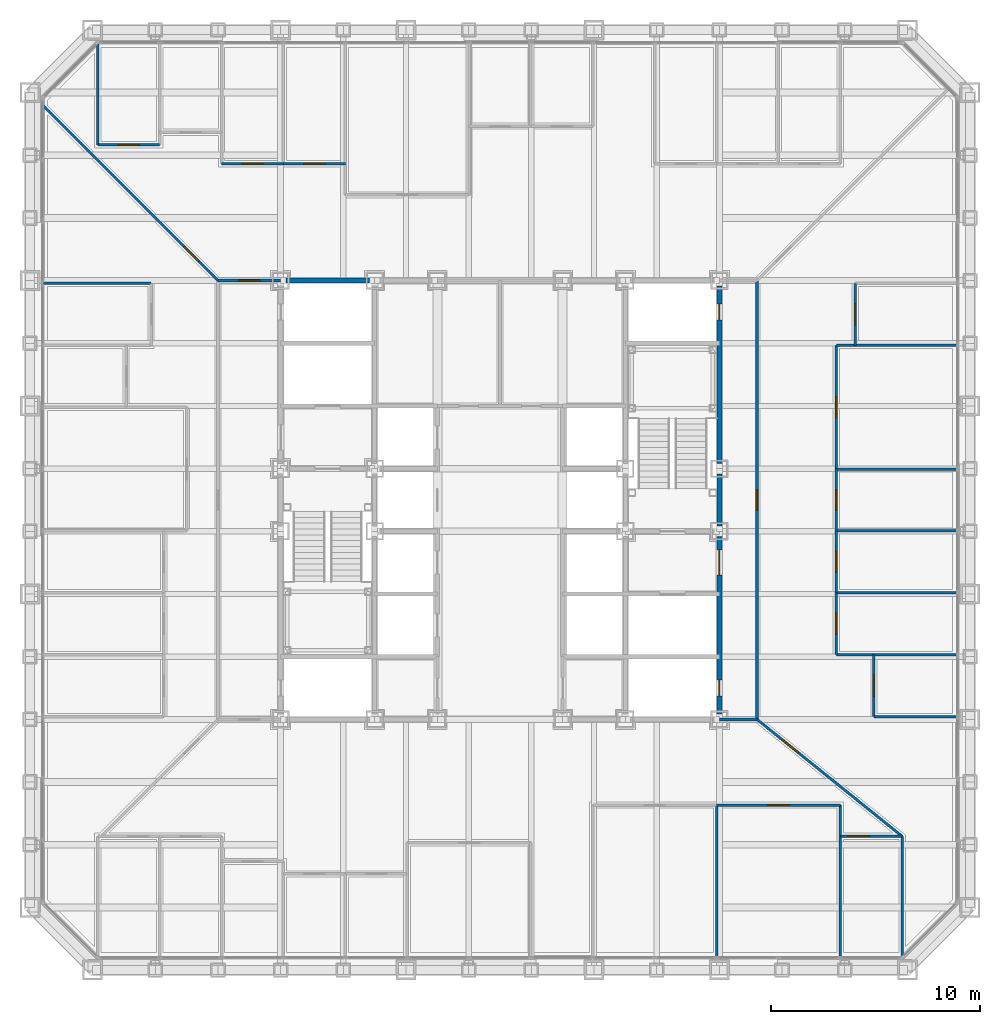
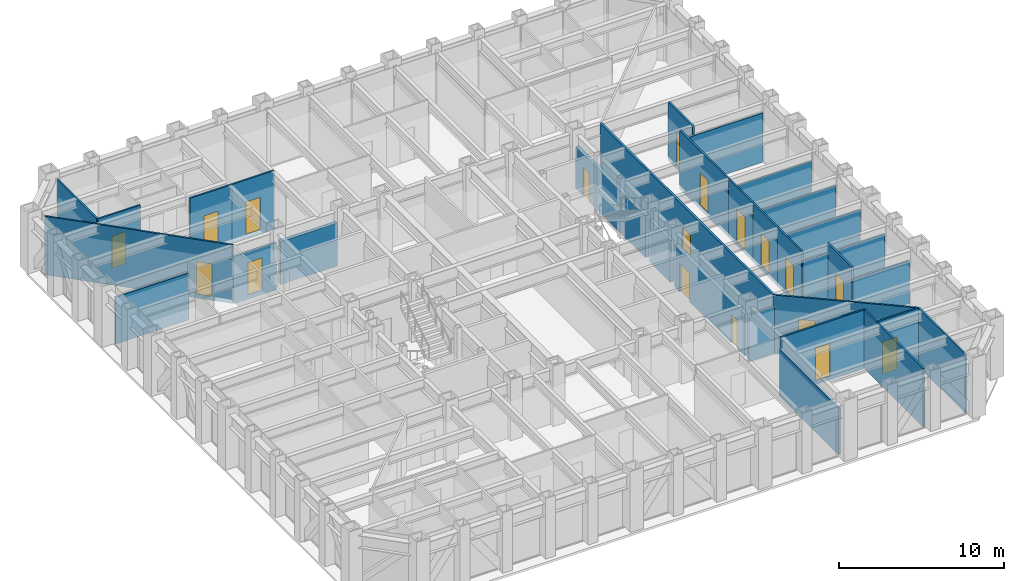
# One storey, part 10 of 17: 31 walls, 18 doors, 18 openings.
"""IFC4 building model written with IfcOpenShell, lengths in metres."""

from ifc_helpers import new_model, si_unit, direction, frame, frame_2d, origin, place, context, subcontext, project, spatial, rectangle, extrude, material, layer, layer_set, type_object, element, fill, save


model = new_model("IFC4")

# Units and contexts
model_context = context("Model", 3, precision=1e-05, world=origin(), true_north=direction((0.0, 1.0)))
body_context = subcontext(model_context, "Body", "Model", "MODEL_VIEW")
ifc_project = project(units=[si_unit("LENGTHUNIT", "METRE"), si_unit("AREAUNIT", "SQUARE_METRE"), si_unit("VOLUMEUNIT", "CUBIC_METRE"), si_unit("PLANEANGLEUNIT", "RADIAN"), si_unit("MASSUNIT", "GRAM", prefix="KILO")], contexts=[model_context])

# Site, building, storey
site_placement = place(None, origin())
site = spatial("IfcSite", under=ifc_project, at=site_placement, CompositionType="ELEMENT")
building_placement = place(site_placement, origin())
building = spatial("IfcBuilding", under=site, at=building_placement, Name="Chuquiago Exchange Tower", CompositionType="ELEMENT")
storey_placement = place(building_placement, frame((0.0, 0.0, 37.800048828125)))
storey = spatial("IfcBuildingStorey", under=building, at=storey_placement, Name="L07", CompositionType="ELEMENT", Elevation=37.800048828125)

# Wall
ifc_material_1 = material(Name="Concrete masonry, fully grouted", Category="masonry")
ifc_layer_1 = layer(ifc_material_1, 0.25)
ifc_layer_set_1 = layer_set([ifc_layer_1], Name="W1 core wall 250")
wall_type_1 = type_object("IfcWallType", Name="W1 core wall 250", PredefinedType="SOLIDWALL", material=ifc_layer_set_1)
wall_1_placement = place(storey_placement, frame((12.25, 33.0, 0.0), z_axis=(0.0, 0.0, 1.0), x_axis=(1.0, 0.0, 0.0)))
element("IfcWall", 1, at=wall_1_placement, inside=storey, type_object=wall_type_1, Name="CW-L07-11-0", PredefinedType="SOLIDWALL", context=body_context, shape_type="SweptSolid", body=[
    extrude(rectangle(XDim=4.0, YDim=0.25, at=frame_2d((2.0, 0.0))), origin(), (0.0, 0.0, 1.0), 3.181396484375),
])

# Wall, openings, doors
wall_2_placement = place(storey_placement, frame((33.0, 12.25, 0.0), z_axis=(0.0, 0.0, 1.0), x_axis=(0.0, 1.0, 0.0)))
wall_2 = element("IfcWall", 2, at=wall_2_placement, inside=storey, type_object=wall_type_1, Name="CW-L07-25-0", PredefinedType="SOLIDWALL", context=body_context, shape_type="SweptSolid", body=[
    extrude(rectangle(XDim=8.5, YDim=0.25, at=frame_2d((4.25, 0.0))), origin(), (0.0, 0.0, 1.0), 3.11279296875),
])
opening_1_placement = place(wall_2_placement, frame((6.64990234375, 0.0, 0.0)))
opening_1 = element("IfcOpeningElement", 3, at=opening_1_placement, cuts=wall_2, Name="Opening L07-004", PredefinedType="OPENING", context=body_context, shape_type="SweptSolid", body=[
    extrude(rectangle(XDim=1.199951171875, YDim=2.10009765625, at=frame_2d((0.60009765625, 1.050048828125))), frame((0.0, 0.135009765625, 0.0), z_axis=(0.0, -1.0, 0.0), x_axis=(1.0, 0.0, 0.0)), (0.0, 0.0, 1.0), 0.27001953125),
])
opening_2_placement = place(wall_2_placement, frame((0.875, 0.0, 0.0)))
opening_2 = element("IfcOpeningElement", 4, at=opening_2_placement, cuts=wall_2, Name="Opening L07-009", PredefinedType="OPENING", context=body_context, shape_type="SweptSolid", body=[
    extrude(rectangle(XDim=0.75, YDim=2.10009765625, at=frame_2d((0.375, 1.050048828125))), frame((0.0, 0.135009765625, 0.0), z_axis=(0.0, -1.0, 0.0), x_axis=(1.0, 0.0, 0.0)), (0.0, 0.0, 1.0), 0.27001953125),
])
ifc_material_2 = material(Name="Steel door, painted", Category="steel")
door_type_1 = type_object("IfcDoorType", Name="D5 firefighting lobby door 1200x2100", OperationType="SINGLE_SWING_LEFT", PredefinedType="DOOR", material=ifc_material_2)
door_1_placement = place(opening_1_placement, origin())
door_1 = element("IfcDoor", 5, at=door_1_placement, inside=storey, type_object=door_type_1, Name="Firefighting lobby 2 door", OperationType="SINGLE_SWING_RIGHT", OverallHeight=2.10009765625, OverallWidth=1.199951171875, PredefinedType="DOOR", context=body_context, shape_type="SweptSolid", body=[
    extrude(rectangle(XDim=1.199951171875, YDim=2.10009765625, at=frame_2d((0.60009765625, 1.050048828125))), frame((0.0, 0.02490234375, 0.0), z_axis=(0.0, -1.0, 0.0), x_axis=(1.0, 0.0, 0.0)), (0.0, 0.0, 1.0), 0.050048828125),
])
fill(opening_1, door_1)
ifc_material_3 = material(Name="Steel door, painted", Category="steel")
door_type_2 = type_object("IfcDoorType", Name="D6 riser access door 750x2100", OperationType="SINGLE_SWING_LEFT", PredefinedType="DOOR", material=ifc_material_3)
door_2_placement = place(opening_2_placement, frame((0.75, 0.0, 0.0), z_axis=(0.0, 0.0, 1.0), x_axis=(-1.0, 0.0, 0.0)))
door_2 = element("IfcDoor", 6, at=door_2_placement, inside=storey, type_object=door_type_2, Name="Riser RE1 door", OperationType="SINGLE_SWING_RIGHT", OverallHeight=2.10009765625, OverallWidth=0.75, PredefinedType="DOOR", context=body_context, shape_type="SweptSolid", body=[
    extrude(rectangle(XDim=0.75, YDim=2.10009765625, at=frame_2d((0.375, 1.050048828125))), frame((0.0, 0.02490234375, 0.0), z_axis=(0.0, -1.0, 0.0), x_axis=(1.0, 0.0, 0.0)), (0.0, 0.0, 1.0), 0.050048828125),
])
fill(opening_2, door_2)

# Wall
wall_3_placement = place(storey_placement, frame((33.0, 21.25, 0.0), z_axis=(0.0, 0.0, 1.0), x_axis=(0.0, 1.0, 0.0)))
element("IfcWall", 7, at=wall_3_placement, inside=storey, type_object=wall_type_1, Name="CW-L07-25-1", PredefinedType="SOLIDWALL", context=body_context, shape_type="SweptSolid", body=[
    extrude(rectangle(XDim=2.5, YDim=0.25, at=frame_2d((1.25, 0.0))), origin(), (0.0, 0.0, 1.0), 3.11279296875),
])

# Wall, opening, door
wall_4_placement = place(storey_placement, frame((33.0, 24.25, 0.0), z_axis=(0.0, 0.0, 1.0), x_axis=(0.0, 1.0, 0.0)))
wall_4 = element("IfcWall", 8, at=wall_4_placement, inside=storey, type_object=wall_type_1, Name="CW-L07-25-2", PredefinedType="SOLIDWALL", context=body_context, shape_type="SweptSolid", body=[
    extrude(rectangle(XDim=8.5, YDim=0.25, at=frame_2d((4.25, 0.0))), origin(), (0.0, 0.0, 1.0), 3.11279296875),
])
opening_3_placement = place(wall_4_placement, frame((6.875, 0.0, 0.0)))
opening_3 = element("IfcOpeningElement", 9, at=opening_3_placement, cuts=wall_4, Name="Opening L07-010", PredefinedType="OPENING", context=body_context, shape_type="SweptSolid", body=[
    extrude(rectangle(XDim=0.75, YDim=2.10009765625, at=frame_2d((0.375, 1.050048828125))), frame((0.0, 0.135009765625, 0.0), z_axis=(0.0, -1.0, 0.0), x_axis=(1.0, 0.0, 0.0)), (0.0, 0.0, 1.0), 0.27001953125),
])
door_3_placement = place(opening_3_placement, frame((0.75, 0.0, 0.0), z_axis=(0.0, 0.0, 1.0), x_axis=(-1.0, 0.0, 0.0)))
door_3 = element("IfcDoor", 10, at=door_3_placement, inside=storey, type_object=door_type_2, Name="Riser RE2 door", OperationType="SINGLE_SWING_LEFT", OverallHeight=2.10009765625, OverallWidth=0.75, PredefinedType="DOOR", context=body_context, shape_type="SweptSolid", body=[
    extrude(rectangle(XDim=0.75, YDim=2.10009765625, at=frame_2d((0.375, 1.050048828125))), frame((0.0, 0.02490234375, 0.0), z_axis=(0.0, -1.0, 0.0), x_axis=(1.0, 0.0, 0.0)), (0.0, 0.0, 1.0), 0.050048828125),
])
fill(opening_3, door_3)

ifc_material_4 = material(Name="Gypsum board on steel studs, acoustic insulation", Category="steel")
ifc_layer_2 = layer(ifc_material_4, 0.14990234375)
ifc_layer_set_2 = layer_set([ifc_layer_2], Name="W11 corridor wall 150")
wall_type_2 = type_object("IfcWallType", Name="W11 corridor wall 150", PredefinedType="PARTITIONING", material=ifc_layer_set_2)
wall_5_placement = place(storey_placement, frame((9.0, 33.0, -0.300048828125), z_axis=(0.0, 0.0, 1.0), x_axis=(1.0, 0.0, 0.0)))
wall_5 = element("IfcWall", 11, at=wall_5_placement, inside=storey, type_object=wall_type_2, Name="PW-L07-GWN0", PredefinedType="PARTITIONING", context=body_context, shape_type="SweptSolid", body=[
    extrude(rectangle(XDim=3.0, YDim=0.14990234375, at=frame_2d((1.5, 0.0))), origin(), (0.0, 0.0, 1.0), 3.4814453125),
])
opening_4_placement = place(wall_5_placement, frame((1.0, 0.0, 0.300048828125)))
opening_4 = element("IfcOpeningElement", 12, at=opening_4_placement, cuts=wall_5, Name="Opening L07-051", PredefinedType="OPENING", context=body_context, shape_type="SweptSolid", body=[
    extrude(rectangle(XDim=1.0, YDim=2.39990234375, at=frame_2d((0.5, 1.199951171875))), frame((0.0, 0.0849609375, 0.0), z_axis=(0.0, -1.0, 0.0), x_axis=(1.0, 0.0, 0.0)), (0.0, 0.0, 1.0), 0.169921875),
])
ifc_material_5 = material(Name="Timber door, laminate faced", Category="wood")
door_type_3 = type_object("IfcDoorType", Name="D9 room door 1000x2400", OperationType="SINGLE_SWING_LEFT", PredefinedType="DOOR", material=ifc_material_5)
door_4_placement = place(opening_4_placement, frame((1.0, 0.0, 0.0), z_axis=(0.0, 0.0, 1.0), x_axis=(-1.0, 0.0, 0.0)))
door_4 = element("IfcDoor", 13, at=door_4_placement, inside=storey, type_object=door_type_3, Name="Team area door", OperationType="SINGLE_SWING_LEFT", OverallHeight=2.39990234375, OverallWidth=1.0, PredefinedType="DOOR", context=body_context, shape_type="SweptSolid", body=[
    extrude(rectangle(XDim=1.0, YDim=2.39990234375, at=frame_2d((0.5, 1.199951171875))), frame((0.0, 0.02490234375, 0.0), z_axis=(0.0, -1.0, 0.0), x_axis=(1.0, 0.0, 0.0)), (0.0, 0.0, 1.0), 0.050048828125),
])
fill(opening_4, door_4)

wall_6_placement = place(storey_placement, frame((34.800048828125, 12.0, -0.300048828125), z_axis=(0.0, 0.0, 1.0), x_axis=(0.0, 1.0, 0.0)))
wall_6 = element("IfcWall", 14, at=wall_6_placement, inside=storey, type_object=wall_type_2, Name="PW-L07-GE0", PredefinedType="PARTITIONING", context=body_context, shape_type="SweptSolid", body=[
    extrude(rectangle(XDim=21.0, YDim=0.14990234375, at=frame_2d((10.5, 0.0))), origin(), (0.0, 0.0, 1.0), 4.340087890625),
])
opening_5_placement = place(wall_6_placement, frame((10.0, 0.0, 0.300048828125)))
opening_5 = element("IfcOpeningElement", 15, at=opening_5_placement, cuts=wall_6, Name="Opening L07-053", PredefinedType="OPENING", context=body_context, shape_type="SweptSolid", body=[
    extrude(rectangle(XDim=1.0, YDim=2.39990234375, at=frame_2d((0.5, 1.199951171875))), frame((0.0, 0.0849609375, 0.0), z_axis=(0.0, -1.0, 0.0), x_axis=(1.0, 0.0, 0.0)), (0.0, 0.0, 1.0), 0.169921875),
])
door_5_placement = place(opening_5_placement, frame((1.0, 0.0, 0.0), z_axis=(0.0, 0.0, 1.0), x_axis=(-1.0, 0.0, 0.0)))
door_5 = element("IfcDoor", 16, at=door_5_placement, inside=storey, type_object=door_type_3, Name="Team area door", OperationType="SINGLE_SWING_RIGHT", OverallHeight=2.39990234375, OverallWidth=1.0, PredefinedType="DOOR", context=body_context, shape_type="SweptSolid", body=[
    extrude(rectangle(XDim=1.0, YDim=2.39990234375, at=frame_2d((0.5, 1.199951171875))), frame((0.0, 0.02490234375, 0.0), z_axis=(0.0, -1.0, 0.0), x_axis=(1.0, 0.0, 0.0)), (0.0, 0.0, 1.0), 0.050048828125),
])
fill(opening_5, door_5)

# Walls
wall_7_placement = place(storey_placement, frame((33.0, 12.0, -0.300048828125), z_axis=(0.0, 0.0, 1.0), x_axis=(1.0, 0.0, 0.0)))
element("IfcWall", 17, at=wall_7_placement, inside=storey, type_object=wall_type_2, Name="PW-L07-GES0", PredefinedType="PARTITIONING", context=body_context, shape_type="SweptSolid", body=[
    extrude(rectangle(XDim=1.800048828125, YDim=0.14990234375, at=frame_2d((0.89990234375, 0.0))), origin(), (0.0, 0.0, 1.0), 3.4814453125),
])
ifc_material_6 = material(Name="Gypsum board on steel studs", Category="steel")
ifc_layer_3 = layer(ifc_material_6, 0.1201171875)
ifc_layer_set_3 = layer_set([ifc_layer_3], Name="W4 partition 120")
wall_type_3 = type_object("IfcWallType", Name="W4 partition 120", PredefinedType="PARTITIONING", material=ifc_layer_set_3)
wall_8_placement = place(storey_placement, frame((32.8662109375, 0.657470703125, -0.300048828125), z_axis=(0.0, 0.0, 1.0), x_axis=(0.0, 1.0, 0.0)))
element("IfcWall", 18, at=wall_8_placement, inside=storey, type_object=wall_type_3, Name="PW-L07-S03287", PredefinedType="PARTITIONING", context=body_context, shape_type="SweptSolid", body=[
    extrude(rectangle(XDim=7.242431640625, YDim=0.1201171875, at=frame_2d((3.62109375, 0.0))), origin(), (0.0, 0.0, 1.0), 3.4814453125),
])
wall_9_placement = place(storey_placement, frame((38.789794921875, 0.657470703125, -0.300048828125), z_axis=(0.0, 0.0, 1.0), x_axis=(0.0, 1.0, 0.0)))
element("IfcWall", 19, at=wall_9_placement, inside=storey, type_object=wall_type_3, Name="PW-L07-S03879", PredefinedType="PARTITIONING", context=body_context, shape_type="SweptSolid", body=[
    extrude(rectangle(XDim=7.242431640625, YDim=0.1201171875, at=frame_2d((3.62109375, 0.0))), origin(), (0.0, 0.0, 1.0), 4.340087890625),
])
wall_10_placement = place(storey_placement, frame((41.75146484375, 0.666015625, -0.300048828125), z_axis=(0.0, 0.0, 1.0), x_axis=(0.0, 1.0, 0.0)))
element("IfcWall", 20, at=wall_10_placement, inside=storey, type_object=wall_type_3, Name="PW-L07-S04175", PredefinedType="PARTITIONING", context=body_context, shape_type="SweptSolid", body=[
    extrude(rectangle(XDim=5.73388671875, YDim=0.1201171875, at=frame_2d((2.866943359375, 0.0))), origin(), (0.0, 0.0, 1.0), 4.340087890625),
])

# Wall, opening, door
wall_11_placement = place(storey_placement, frame((32.8662109375, 7.89990234375, -0.300048828125), z_axis=(0.0, 0.0, 1.0), x_axis=(1.0, 0.0, 0.0)))
wall_11 = element("IfcWall", 21, at=wall_11_placement, inside=storey, type_object=wall_type_3, Name="PW-L07-SF03287", PredefinedType="PARTITIONING", context=body_context, shape_type="SweptSolid", body=[
    extrude(rectangle(XDim=5.923583984375, YDim=0.1201171875, at=frame_2d((2.9619140625, 0.0))), origin(), (0.0, 0.0, 1.0), 4.340087890625),
])
opening_6_placement = place(wall_11_placement, frame((2.4619140625, 0.0, 0.300048828125)))
opening_6 = element("IfcOpeningElement", 22, at=opening_6_placement, cuts=wall_11, Name="Opening L07-026", PredefinedType="OPENING", context=body_context, shape_type="SweptSolid", body=[
    extrude(rectangle(XDim=1.0, YDim=2.39990234375, at=frame_2d((0.5, 1.199951171875))), frame((0.0, 0.070068359375, 0.0), z_axis=(0.0, -1.0, 0.0), x_axis=(1.0, 0.0, 0.0)), (0.0, 0.0, 1.0), 0.14013671875),
])
door_6_placement = place(opening_6_placement, frame((1.0, 0.0, 0.0), z_axis=(0.0, 0.0, 1.0), x_axis=(-1.0, 0.0, 0.0)))
door_6 = element("IfcDoor", 23, at=door_6_placement, inside=storey, type_object=door_type_3, Name="Market data room door", OperationType="SINGLE_SWING_LEFT", OverallHeight=2.39990234375, OverallWidth=1.0, PredefinedType="DOOR", context=body_context, shape_type="SweptSolid", body=[
    extrude(rectangle(XDim=1.0, YDim=2.39990234375, at=frame_2d((0.5, 1.199951171875))), frame((0.0, 0.02490234375, 0.0), z_axis=(0.0, -1.0, 0.0), x_axis=(1.0, 0.0, 0.0)), (0.0, 0.0, 1.0), 0.050048828125),
])
fill(opening_6, door_6)

wall_12_placement = place(storey_placement, frame((38.789794921875, 6.39990234375, -0.300048828125), z_axis=(0.0, 0.0, 1.0), x_axis=(1.0, 0.0, 0.0)))
wall_12 = element("IfcWall", 24, at=wall_12_placement, inside=storey, type_object=wall_type_3, Name="PW-L07-SF03879", PredefinedType="PARTITIONING", context=body_context, shape_type="SweptSolid", body=[
    extrude(rectangle(XDim=2.961669921875, YDim=0.1201171875, at=frame_2d((1.48095703125, 0.0))), origin(), (0.0, 0.0, 1.0), 4.340087890625),
])
opening_7_placement = place(wall_12_placement, frame((0.388427734375, 0.0, 0.300048828125)))
opening_7 = element("IfcOpeningElement", 25, at=opening_7_placement, cuts=wall_12, Name="Opening L07-027", PredefinedType="OPENING", context=body_context, shape_type="SweptSolid", body=[
    extrude(rectangle(XDim=1.0, YDim=2.39990234375, at=frame_2d((0.5, 1.199951171875))), frame((0.0, 0.070068359375, 0.0), z_axis=(0.0, -1.0, 0.0), x_axis=(1.0, 0.0, 0.0)), (0.0, 0.0, 1.0), 0.14013671875),
])
door_7_placement = place(opening_7_placement, frame((1.0, 0.0, 0.0), z_axis=(0.0, 0.0, 1.0), x_axis=(-1.0, 0.0, 0.0)))
door_7 = element("IfcDoor", 26, at=door_7_placement, inside=storey, type_object=door_type_3, Name="Trading support room door", OperationType="SINGLE_SWING_RIGHT", OverallHeight=2.39990234375, OverallWidth=1.0, PredefinedType="DOOR", context=body_context, shape_type="SweptSolid", body=[
    extrude(rectangle(XDim=1.0, YDim=2.39990234375, at=frame_2d((0.5, 1.199951171875))), frame((0.0, 0.02490234375, 0.0), z_axis=(0.0, -1.0, 0.0), x_axis=(1.0, 0.0, 0.0)), (0.0, 0.0, 1.0), 0.050048828125),
])
fill(opening_7, door_7)

# Walls
wall_13_placement = place(storey_placement, frame((44.342529296875, 12.1337890625, -0.300048828125), z_axis=(0.0, 0.0, 1.0), x_axis=(-1.0, 0.0, 0.0)))
element("IfcWall", 27, at=wall_13_placement, inside=storey, type_object=wall_type_3, Name="PW-L07-E01213", PredefinedType="PARTITIONING", context=body_context, shape_type="SweptSolid", body=[
    extrude(rectangle(XDim=3.942626953125, YDim=0.1201171875, at=frame_2d((1.97119140625, 0.0))), origin(), (0.0, 0.0, 1.0), 3.4814453125),
])
for number, where, z_axis, x_axis, name in (
    (28, (44.342529296875, 15.095703125, -0.300048828125), (0.0, 0.0, 1.0), (-1.0, 0.0, 0.0), "PW-L07-E01510"),
    (29, (44.342529296875, 18.057373046875, -0.300048828125), (0.0, 0.0, 1.0), (-1.0, 0.0, 0.0), "PW-L07-E01806"),
    (30, (44.342529296875, 21.01904296875, -0.300048828125), (0.0, 0.0, 1.0), (-1.0, 0.0, 0.0), "PW-L07-E02102"),
    (31, (44.342529296875, 23.98095703125, -0.300048828125), (0.0, 0.0, 1.0), (-1.0, 0.0, 0.0), "PW-L07-E02398"),
    (32, (44.342529296875, 29.904296875, -0.300048828125), (0.0, 0.0, 1.0), (-1.0, 0.0, 0.0), "PW-L07-E02990"),
):
    element("IfcWall", number, at=place(storey_placement, frame(where, z_axis=z_axis, x_axis=x_axis)), inside=storey, type_object=wall_type_3, Name=name, PredefinedType="PARTITIONING", context=body_context, shape_type="SweptSolid", body=[
        extrude(rectangle(XDim=5.742431640625, YDim=0.1201171875, at=frame_2d((2.87109375, 0.0))), origin(), (0.0, 0.0, 1.0), 3.646484375),
    ])

# Wall, opening, door
wall_14_placement = place(storey_placement, frame((40.39990234375, 12.1337890625, -0.300048828125), z_axis=(0.0, 0.0, 1.0), x_axis=(0.0, 1.0, 0.0)))
wall_14 = element("IfcWall", 33, at=wall_14_placement, inside=storey, type_object=wall_type_3, Name="PW-L07-EF01213", PredefinedType="PARTITIONING", context=body_context, shape_type="SweptSolid", body=[
    extrude(rectangle(XDim=2.9619140625, YDim=0.1201171875, at=frame_2d((1.48095703125, 0.0))), origin(), (0.0, 0.0, 1.0), 4.340087890625),
])
opening_8_placement = place(wall_14_placement, frame((0.98095703125, 0.0, 0.300048828125)))
opening_8 = element("IfcOpeningElement", 34, at=opening_8_placement, cuts=wall_14, Name="Opening L07-028", PredefinedType="OPENING", context=body_context, shape_type="SweptSolid", body=[
    extrude(rectangle(XDim=1.0, YDim=2.39990234375, at=frame_2d((0.5, 1.199951171875))), frame((0.0, 0.070068359375, 0.0), z_axis=(0.0, -1.0, 0.0), x_axis=(1.0, 0.0, 0.0)), (0.0, 0.0, 1.0), 0.14013671875),
])
ifc_material_7 = material(Name="Timber frame door, full height glazed panel", Category="wood")
door_type_4 = type_object("IfcDoorType", Name="D14 glazed meeting room door 1000x2400", OperationType="SINGLE_SWING_LEFT", PredefinedType="DOOR", material=ifc_material_7)
door_8_placement = place(opening_8_placement, frame((1.0, 0.0, 0.0), z_axis=(0.0, 0.0, 1.0), x_axis=(-1.0, 0.0, 0.0)))
door_8 = element("IfcDoor", 35, at=door_8_placement, inside=storey, type_object=door_type_4, Name="Focus room door", OperationType="SINGLE_SWING_LEFT", OverallHeight=2.39990234375, OverallWidth=1.0, PredefinedType="DOOR", context=body_context, shape_type="SweptSolid", body=[
    extrude(rectangle(XDim=1.0, YDim=2.39990234375, at=frame_2d((0.5, 1.199951171875))), frame((0.0, 0.02490234375, 0.0), z_axis=(0.0, -1.0, 0.0), x_axis=(1.0, 0.0, 0.0)), (0.0, 0.0, 1.0), 0.050048828125),
])
fill(opening_8, door_8)

wall_15_placement = place(storey_placement, frame((38.60009765625, 15.095703125, -0.300048828125), z_axis=(0.0, 0.0, 1.0), x_axis=(0.0, 1.0, 0.0)))
wall_15 = element("IfcWall", 36, at=wall_15_placement, inside=storey, type_object=wall_type_3, Name="PW-L07-EF01510", PredefinedType="PARTITIONING", context=body_context, shape_type="SweptSolid", body=[
    extrude(rectangle(XDim=2.961669921875, YDim=0.1201171875, at=frame_2d((1.48095703125, 0.0))), origin(), (0.0, 0.0, 1.0), 4.340087890625),
])
opening_9_placement = place(wall_15_placement, frame((0.98095703125, 0.0, 0.300048828125)))
opening_9 = element("IfcOpeningElement", 37, at=opening_9_placement, cuts=wall_15, Name="Opening L07-029", PredefinedType="OPENING", context=body_context, shape_type="SweptSolid", body=[
    extrude(rectangle(XDim=1.0, YDim=2.39990234375, at=frame_2d((0.5, 1.199951171875))), frame((0.0, 0.070068359375, 0.0), z_axis=(0.0, -1.0, 0.0), x_axis=(1.0, 0.0, 0.0)), (0.0, 0.0, 1.0), 0.14013671875),
])
door_9_placement = place(opening_9_placement, frame((1.0, 0.0, 0.0), z_axis=(0.0, 0.0, 1.0), x_axis=(-1.0, 0.0, 0.0)))
door_9 = element("IfcDoor", 38, at=door_9_placement, inside=storey, type_object=door_type_3, Name="Trading support room door", OperationType="SINGLE_SWING_RIGHT", OverallHeight=2.39990234375, OverallWidth=1.0, PredefinedType="DOOR", context=body_context, shape_type="SweptSolid", body=[
    extrude(rectangle(XDim=1.0, YDim=2.39990234375, at=frame_2d((0.5, 1.199951171875))), frame((0.0, 0.02490234375, 0.0), z_axis=(0.0, -1.0, 0.0), x_axis=(1.0, 0.0, 0.0)), (0.0, 0.0, 1.0), 0.050048828125),
])
fill(opening_9, door_9)

wall_16_placement = place(storey_placement, frame((38.60009765625, 18.057373046875, -0.300048828125), z_axis=(0.0, 0.0, 1.0), x_axis=(0.0, 1.0, 0.0)))
wall_16 = element("IfcWall", 39, at=wall_16_placement, inside=storey, type_object=wall_type_3, Name="PW-L07-EF01806", PredefinedType="PARTITIONING", context=body_context, shape_type="SweptSolid", body=[
    extrude(rectangle(XDim=2.961669921875, YDim=0.1201171875, at=frame_2d((1.48095703125, 0.0))), origin(), (0.0, 0.0, 1.0), 4.340087890625),
])
opening_10_placement = place(wall_16_placement, frame((0.98095703125, 0.0, 0.300048828125)))
opening_10 = element("IfcOpeningElement", 40, at=opening_10_placement, cuts=wall_16, Name="Opening L07-030", PredefinedType="OPENING", context=body_context, shape_type="SweptSolid", body=[
    extrude(rectangle(XDim=1.0, YDim=2.39990234375, at=frame_2d((0.5, 1.199951171875))), frame((0.0, 0.070068359375, 0.0), z_axis=(0.0, -1.0, 0.0), x_axis=(1.0, 0.0, 0.0)), (0.0, 0.0, 1.0), 0.14013671875),
])
door_10_placement = place(opening_10_placement, frame((1.0, 0.0, 0.0), z_axis=(0.0, 0.0, 1.0), x_axis=(-1.0, 0.0, 0.0)))
door_10 = element("IfcDoor", 41, at=door_10_placement, inside=storey, type_object=door_type_3, Name="Trading support room door", OperationType="SINGLE_SWING_LEFT", OverallHeight=2.39990234375, OverallWidth=1.0, PredefinedType="DOOR", context=body_context, shape_type="SweptSolid", body=[
    extrude(rectangle(XDim=1.0, YDim=2.39990234375, at=frame_2d((0.5, 1.199951171875))), frame((0.0, 0.02490234375, 0.0), z_axis=(0.0, -1.0, 0.0), x_axis=(1.0, 0.0, 0.0)), (0.0, 0.0, 1.0), 0.050048828125),
])
fill(opening_10, door_10)

wall_17_placement = place(storey_placement, frame((38.60009765625, 21.01904296875, -0.300048828125), z_axis=(0.0, 0.0, 1.0), x_axis=(0.0, 1.0, 0.0)))
wall_17 = element("IfcWall", 42, at=wall_17_placement, inside=storey, type_object=wall_type_3, Name="PW-L07-EF02102", PredefinedType="PARTITIONING", context=body_context, shape_type="SweptSolid", body=[
    extrude(rectangle(XDim=2.9619140625, YDim=0.1201171875, at=frame_2d((1.48095703125, 0.0))), origin(), (0.0, 0.0, 1.0), 4.340087890625),
])
opening_11_placement = place(wall_17_placement, frame((0.98095703125, 0.0, 0.300048828125)))
opening_11 = element("IfcOpeningElement", 43, at=opening_11_placement, cuts=wall_17, Name="Opening L07-031", PredefinedType="OPENING", context=body_context, shape_type="SweptSolid", body=[
    extrude(rectangle(XDim=1.0, YDim=2.39990234375, at=frame_2d((0.5, 1.199951171875))), frame((0.0, 0.070068359375, 0.0), z_axis=(0.0, -1.0, 0.0), x_axis=(1.0, 0.0, 0.0)), (0.0, 0.0, 1.0), 0.14013671875),
])
door_11_placement = place(opening_11_placement, frame((1.0, 0.0, 0.0), z_axis=(0.0, 0.0, 1.0), x_axis=(-1.0, 0.0, 0.0)))
door_11 = element("IfcDoor", 44, at=door_11_placement, inside=storey, type_object=door_type_3, Name="Trading support room door", OperationType="SINGLE_SWING_LEFT", OverallHeight=2.39990234375, OverallWidth=1.0, PredefinedType="DOOR", context=body_context, shape_type="SweptSolid", body=[
    extrude(rectangle(XDim=1.0, YDim=2.39990234375, at=frame_2d((0.5, 1.199951171875))), frame((0.0, 0.02490234375, 0.0), z_axis=(0.0, -1.0, 0.0), x_axis=(1.0, 0.0, 0.0)), (0.0, 0.0, 1.0), 0.050048828125),
])
fill(opening_11, door_11)

wall_18_placement = place(storey_placement, frame((38.60009765625, 23.98095703125, -0.300048828125), z_axis=(0.0, 0.0, 1.0), x_axis=(0.0, 1.0, 0.0)))
wall_18 = element("IfcWall", 45, at=wall_18_placement, inside=storey, type_object=wall_type_3, Name="PW-L07-EF02398", PredefinedType="PARTITIONING", context=body_context, shape_type="SweptSolid", body=[
    extrude(rectangle(XDim=5.92333984375, YDim=0.1201171875, at=frame_2d((2.961669921875, 0.0))), origin(), (0.0, 0.0, 1.0), 4.340087890625),
])
opening_12_placement = place(wall_18_placement, frame((2.4619140625, 0.0, 0.300048828125)))
opening_12 = element("IfcOpeningElement", 46, at=opening_12_placement, cuts=wall_18, Name="Opening L07-032", PredefinedType="OPENING", context=body_context, shape_type="SweptSolid", body=[
    extrude(rectangle(XDim=1.0, YDim=2.39990234375, at=frame_2d((0.5, 1.199951171875))), frame((0.0, 0.070068359375, 0.0), z_axis=(0.0, -1.0, 0.0), x_axis=(1.0, 0.0, 0.0)), (0.0, 0.0, 1.0), 0.14013671875),
])
door_12_placement = place(opening_12_placement, frame((1.0, 0.0, 0.0), z_axis=(0.0, 0.0, 1.0), x_axis=(-1.0, 0.0, 0.0)))
door_12 = element("IfcDoor", 47, at=door_12_placement, inside=storey, type_object=door_type_4, Name="Meeting room door", OperationType="SINGLE_SWING_LEFT", OverallHeight=2.39990234375, OverallWidth=1.0, PredefinedType="DOOR", context=body_context, shape_type="SweptSolid", body=[
    extrude(rectangle(XDim=1.0, YDim=2.39990234375, at=frame_2d((0.5, 1.199951171875))), frame((0.0, 0.02490234375, 0.0), z_axis=(0.0, -1.0, 0.0), x_axis=(1.0, 0.0, 0.0)), (0.0, 0.0, 1.0), 0.050048828125),
])
fill(opening_12, door_12)

wall_19_placement = place(storey_placement, frame((39.5, 29.904296875, -0.300048828125), z_axis=(0.0, 0.0, 1.0), x_axis=(0.0, 1.0, 0.0)))
wall_19 = element("IfcWall", 48, at=wall_19_placement, inside=storey, type_object=wall_type_3, Name="PW-L07-EF02990", PredefinedType="PARTITIONING", context=body_context, shape_type="SweptSolid", body=[
    extrude(rectangle(XDim=2.9619140625, YDim=0.1201171875, at=frame_2d((1.48095703125, 0.0))), origin(), (0.0, 0.0, 1.0), 4.340087890625),
])
opening_13_placement = place(wall_19_placement, frame((0.98095703125, 0.0, 0.300048828125)))
opening_13 = element("IfcOpeningElement", 49, at=opening_13_placement, cuts=wall_19, Name="Opening L07-033", PredefinedType="OPENING", context=body_context, shape_type="SweptSolid", body=[
    extrude(rectangle(XDim=1.0, YDim=2.39990234375, at=frame_2d((0.5, 1.199951171875))), frame((0.0, 0.070068359375, 0.0), z_axis=(0.0, -1.0, 0.0), x_axis=(1.0, 0.0, 0.0)), (0.0, 0.0, 1.0), 0.14013671875),
])
door_13_placement = place(opening_13_placement, frame((1.0, 0.0, 0.0), z_axis=(0.0, 0.0, 1.0), x_axis=(-1.0, 0.0, 0.0)))
door_13 = element("IfcDoor", 50, at=door_13_placement, inside=storey, type_object=door_type_3, Name="Comms room door", OperationType="SINGLE_SWING_RIGHT", OverallHeight=2.39990234375, OverallWidth=1.0, PredefinedType="DOOR", context=body_context, shape_type="SweptSolid", body=[
    extrude(rectangle(XDim=1.0, YDim=2.39990234375, at=frame_2d((0.5, 1.199951171875))), frame((0.0, 0.02490234375, 0.0), z_axis=(0.0, -1.0, 0.0), x_axis=(1.0, 0.0, 0.0)), (0.0, 0.0, 1.0), 0.050048828125),
])
fill(opening_13, door_13)

# Wall
wall_20_placement = place(storey_placement, frame((3.24853515625, 44.333984375, -0.300048828125), z_axis=(0.0, 0.0, 1.0), x_axis=(0.0, -1.0, 0.0)))
element("IfcWall", 51, at=wall_20_placement, inside=storey, type_object=wall_type_3, Name="PW-L07-N00325", PredefinedType="PARTITIONING", context=body_context, shape_type="SweptSolid", body=[
    extrude(rectangle(XDim=4.833984375, YDim=0.1201171875, at=frame_2d((2.4169921875, 0.0))), origin(), (0.0, 0.0, 1.0), 4.340087890625),
])

# Wall, opening, door
wall_21_placement = place(storey_placement, frame((3.24853515625, 39.5, -0.300048828125), z_axis=(0.0, 0.0, 1.0), x_axis=(1.0, 0.0, 0.0)))
wall_21 = element("IfcWall", 52, at=wall_21_placement, inside=storey, type_object=wall_type_3, Name="PW-L07-NF00325", PredefinedType="PARTITIONING", context=body_context, shape_type="SweptSolid", body=[
    extrude(rectangle(XDim=2.961669921875, YDim=0.1201171875, at=frame_2d((1.48095703125, 0.0))), origin(), (0.0, 0.0, 1.0), 4.340087890625),
])
opening_14_placement = place(wall_21_placement, frame((0.98095703125, 0.0, 0.300048828125)))
opening_14 = element("IfcOpeningElement", 53, at=opening_14_placement, cuts=wall_21, Name="Opening L07-034", PredefinedType="OPENING", context=body_context, shape_type="SweptSolid", body=[
    extrude(rectangle(XDim=1.0, YDim=2.39990234375, at=frame_2d((0.5, 1.199951171875))), frame((0.0, 0.070068359375, 0.0), z_axis=(0.0, -1.0, 0.0), x_axis=(1.0, 0.0, 0.0)), (0.0, 0.0, 1.0), 0.14013671875),
])
door_14_placement = place(opening_14_placement, origin())
door_14 = element("IfcDoor", 54, at=door_14_placement, inside=storey, type_object=door_type_3, Name="Comms room door", OperationType="SINGLE_SWING_LEFT", OverallHeight=2.39990234375, OverallWidth=1.0, PredefinedType="DOOR", context=body_context, shape_type="SweptSolid", body=[
    extrude(rectangle(XDim=1.0, YDim=2.39990234375, at=frame_2d((0.5, 1.199951171875))), frame((0.0, 0.02490234375, 0.0), z_axis=(0.0, -1.0, 0.0), x_axis=(1.0, 0.0, 0.0)), (0.0, 0.0, 1.0), 0.050048828125),
])
fill(opening_14, door_14)

wall_22_placement = place(storey_placement, frame((9.172119140625, 38.60009765625, -0.300048828125), z_axis=(0.0, 0.0, 1.0), x_axis=(1.0, 0.0, 0.0)))
wall_22 = element("IfcWall", 55, at=wall_22_placement, inside=storey, type_object=wall_type_3, Name="PW-L07-NF00917", PredefinedType="PARTITIONING", context=body_context, shape_type="SweptSolid", body=[
    extrude(rectangle(XDim=2.961669921875, YDim=0.1201171875, at=frame_2d((1.48095703125, 0.0))), origin(), (0.0, 0.0, 1.0), 4.340087890625),
])
opening_15_placement = place(wall_22_placement, frame((0.98095703125, 0.0, 0.300048828125)))
opening_15 = element("IfcOpeningElement", 56, at=opening_15_placement, cuts=wall_22, Name="Opening L07-036", PredefinedType="OPENING", context=body_context, shape_type="SweptSolid", body=[
    extrude(rectangle(XDim=1.0, YDim=2.39990234375, at=frame_2d((0.5, 1.199951171875))), frame((0.0, 0.070068359375, 0.0), z_axis=(0.0, -1.0, 0.0), x_axis=(1.0, 0.0, 0.0)), (0.0, 0.0, 1.0), 0.14013671875),
])
door_15_placement = place(opening_15_placement, origin())
door_15 = element("IfcDoor", 57, at=door_15_placement, inside=storey, type_object=door_type_3, Name="Office door", OperationType="SINGLE_SWING_RIGHT", OverallHeight=2.39990234375, OverallWidth=1.0, PredefinedType="DOOR", context=body_context, shape_type="SweptSolid", body=[
    extrude(rectangle(XDim=1.0, YDim=2.39990234375, at=frame_2d((0.5, 1.199951171875))), frame((0.0, 0.02490234375, 0.0), z_axis=(0.0, -1.0, 0.0), x_axis=(1.0, 0.0, 0.0)), (0.0, 0.0, 1.0), 0.050048828125),
])
fill(opening_15, door_15)

wall_23_placement = place(storey_placement, frame((12.1337890625, 38.60009765625, -0.300048828125), z_axis=(0.0, 0.0, 1.0), x_axis=(1.0, 0.0, 0.0)))
wall_23 = element("IfcWall", 58, at=wall_23_placement, inside=storey, type_object=wall_type_3, Name="PW-L07-NF01213", PredefinedType="PARTITIONING", context=body_context, shape_type="SweptSolid", body=[
    extrude(rectangle(XDim=2.9619140625, YDim=0.1201171875, at=frame_2d((1.48095703125, 0.0))), origin(), (0.0, 0.0, 1.0), 4.340087890625),
])
opening_16_placement = place(wall_23_placement, frame((0.98095703125, 0.0, 0.300048828125)))
opening_16 = element("IfcOpeningElement", 59, at=opening_16_placement, cuts=wall_23, Name="Opening L07-037", PredefinedType="OPENING", context=body_context, shape_type="SweptSolid", body=[
    extrude(rectangle(XDim=1.0, YDim=2.39990234375, at=frame_2d((0.5, 1.199951171875))), frame((0.0, 0.070068359375, 0.0), z_axis=(0.0, -1.0, 0.0), x_axis=(1.0, 0.0, 0.0)), (0.0, 0.0, 1.0), 0.14013671875),
])
door_16_placement = place(opening_16_placement, origin())
door_16 = element("IfcDoor", 60, at=door_16_placement, inside=storey, type_object=door_type_3, Name="Office door", OperationType="SINGLE_SWING_RIGHT", OverallHeight=2.39990234375, OverallWidth=1.0, PredefinedType="DOOR", context=body_context, shape_type="SweptSolid", body=[
    extrude(rectangle(XDim=1.0, YDim=2.39990234375, at=frame_2d((0.5, 1.199951171875))), frame((0.0, 0.02490234375, 0.0), z_axis=(0.0, -1.0, 0.0), x_axis=(1.0, 0.0, 0.0)), (0.0, 0.0, 1.0), 0.050048828125),
])
fill(opening_16, door_16)

# Wall
wall_24_placement = place(storey_placement, frame((0.657470703125, 32.8662109375, -0.300048828125), z_axis=(0.0, 0.0, 1.0), x_axis=(1.0, 0.0, 0.0)))
element("IfcWall", 61, at=wall_24_placement, inside=storey, type_object=wall_type_3, Name="PW-L07-W03287", PredefinedType="PARTITIONING", context=body_context, shape_type="SweptSolid", body=[
    extrude(rectangle(XDim=5.142578125, YDim=0.1201171875, at=frame_2d((2.5712890625, 0.0))), origin(), (0.0, 0.0, 1.0), 3.4814453125),
])

# Wall, opening, door
wall_25_placement = place(storey_placement, frame((9.0, 33.0, -0.300048828125), z_axis=(0.0, 0.0, 1.0), x_axis=(-0.707106781187, 0.707106781187, 0.0)))
wall_25 = element("IfcWall", 62, at=wall_25_placement, inside=storey, type_object=wall_type_3, Name="PW-L07-QNW", PredefinedType="PARTITIONING", context=body_context, shape_type="SweptSolid", body=[
    extrude(rectangle(XDim=11.84228515625, YDim=0.1201171875, at=frame_2d((5.921142578125, 0.0))), origin(), (0.0, 0.0, 1.0), 4.340087890625),
])
opening_17_placement = place(wall_25_placement, frame((1.300048828125, 0.0, 0.300048828125)))
opening_17 = element("IfcOpeningElement", 63, at=opening_17_placement, cuts=wall_25, Name="Opening L07-055", PredefinedType="OPENING", context=body_context, shape_type="SweptSolid", body=[
    extrude(rectangle(XDim=1.0, YDim=2.39990234375, at=frame_2d((0.5, 1.199951171875))), frame((0.0, 0.070068359375, 0.0), z_axis=(0.0, -1.0, 0.0), x_axis=(1.0, 0.0, 0.0)), (0.0, 0.0, 1.0), 0.14013671875),
])
door_17_placement = place(opening_17_placement, origin())
door_17 = element("IfcDoor", 64, at=door_17_placement, inside=storey, type_object=door_type_3, Name="Team area door", OperationType="SINGLE_SWING_LEFT", OverallHeight=2.39990234375, OverallWidth=1.0, PredefinedType="DOOR", context=body_context, shape_type="SweptSolid", body=[
    extrude(rectangle(XDim=1.0, YDim=2.39990234375, at=frame_2d((0.5, 1.199951171875))), frame((0.0, 0.02490234375, 0.0), z_axis=(0.0, -1.0, 0.0), x_axis=(1.0, 0.0, 0.0)), (0.0, 0.0, 1.0), 0.050048828125),
])
fill(opening_17, door_17)

wall_26_placement = place(storey_placement, frame((34.800048828125, 12.0, -0.300048828125), z_axis=(0.0, 0.0, 1.0), x_axis=(0.778734980058, -0.627353035247, 0.0)))
wall_26 = element("IfcWall", 65, at=wall_26_placement, inside=storey, type_object=wall_type_3, Name="PW-L07-QSE", PredefinedType="PARTITIONING", context=body_context, shape_type="SweptSolid", body=[
    extrude(rectangle(XDim=8.926513671875, YDim=0.1201171875, at=frame_2d((4.46337890625, 0.0))), origin(), (0.0, 0.0, 1.0), 4.340087890625),
])
opening_18_placement = place(wall_26_placement, frame((1.528564453125, 0.0, 0.300048828125)))
opening_18 = element("IfcOpeningElement", 66, at=opening_18_placement, cuts=wall_26, Name="Opening L07-057", PredefinedType="OPENING", context=body_context, shape_type="SweptSolid", body=[
    extrude(rectangle(XDim=1.0, YDim=2.39990234375, at=frame_2d((0.5, 1.199951171875))), frame((0.0, 0.070068359375, 0.0), z_axis=(0.0, -1.0, 0.0), x_axis=(1.0, 0.0, 0.0)), (0.0, 0.0, 1.0), 0.14013671875),
])
door_18_placement = place(opening_18_placement, origin())
door_18 = element("IfcDoor", 67, at=door_18_placement, inside=storey, type_object=door_type_3, Name="Team area door", OperationType="SINGLE_SWING_LEFT", OverallHeight=2.39990234375, OverallWidth=1.0, PredefinedType="DOOR", context=body_context, shape_type="SweptSolid", body=[
    extrude(rectangle(XDim=1.0, YDim=2.39990234375, at=frame_2d((0.5, 1.199951171875))), frame((0.0, 0.02490234375, 0.0), z_axis=(0.0, -1.0, 0.0), x_axis=(1.0, 0.0, 0.0)), (0.0, 0.0, 1.0), 0.050048828125),
])
fill(opening_18, door_18)

save(model, "model.ifc")
